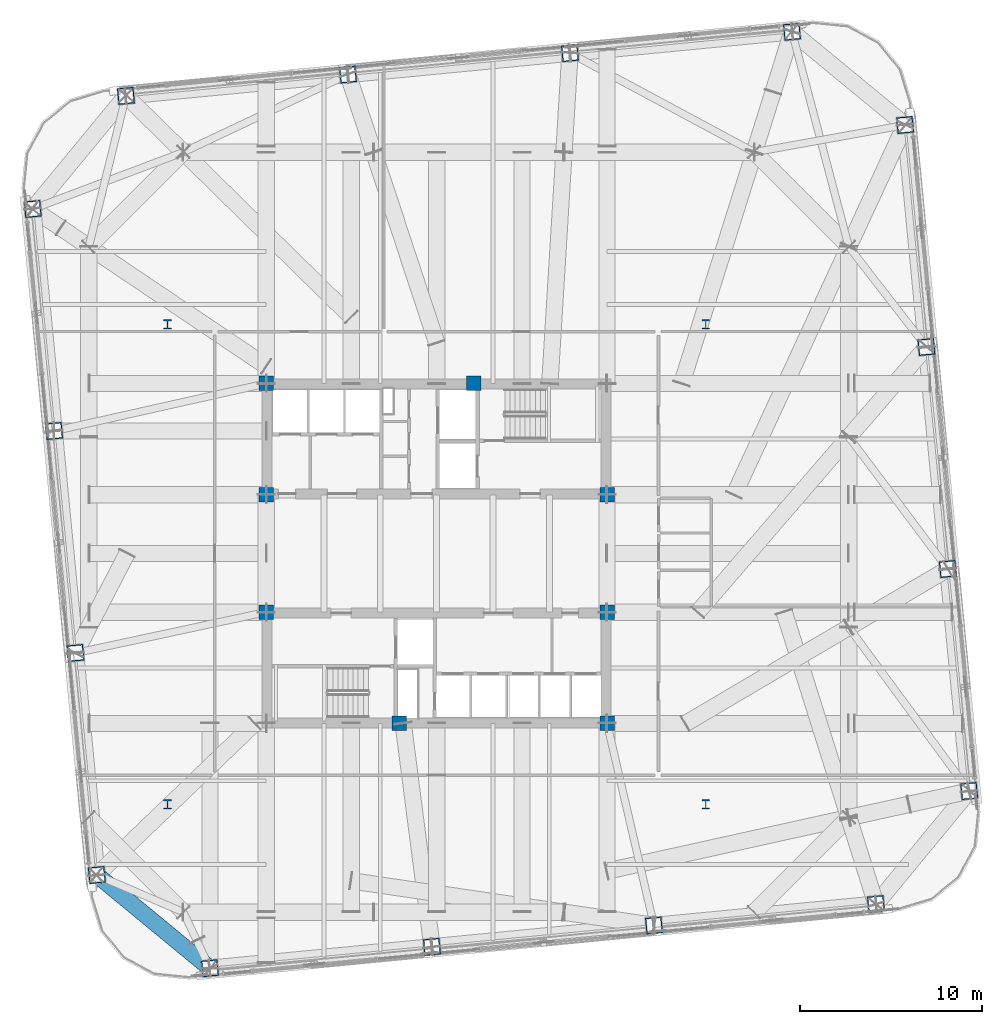
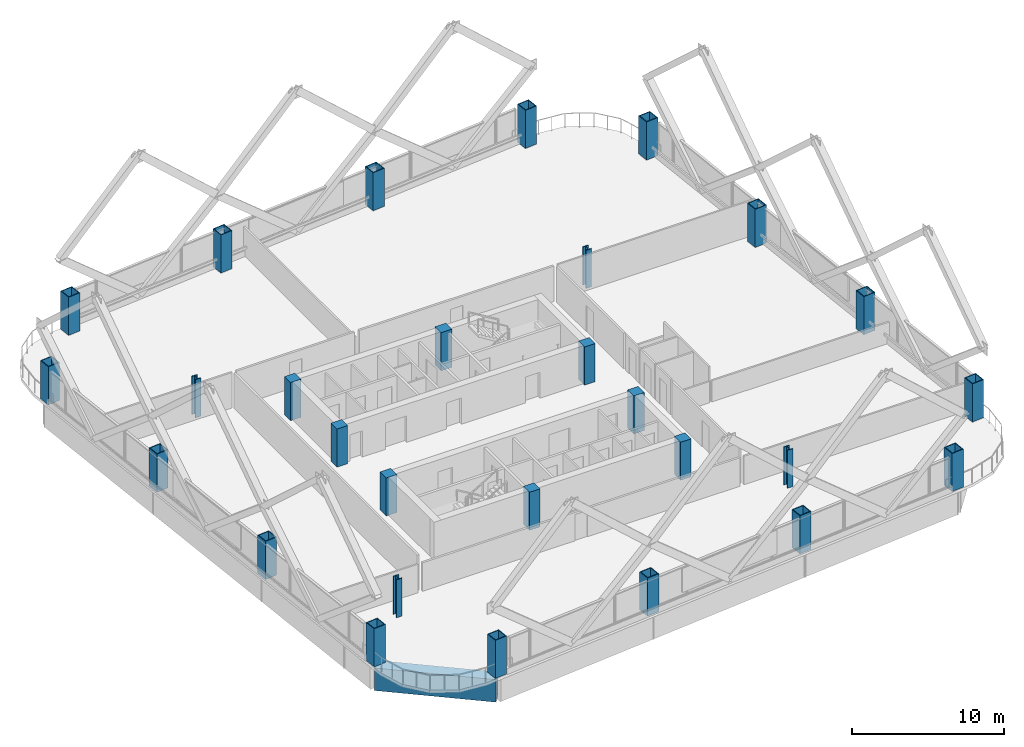
# One storey, part 1 of 42: 28 columns, 1 beam.
"""IFC4 building model written with IfcOpenShell, lengths in metres."""

from ifc_helpers import new_model, si_unit, direction, frame, origin, origin_2d, place, context, subcontext, project, spatial, rectangle, hollow_rectangle, i_section, extrude, material, material_profile, profile_set, type_object, element, save


model = new_model("IFC4")

# Units and contexts
model_context = context("Model", 3, precision=1e-05, world=origin(), true_north=direction((0.0, 1.0)))
body_context = subcontext(model_context, "Body", "Model", "MODEL_VIEW")
ifc_project = project(units=[si_unit("LENGTHUNIT", "METRE"), si_unit("AREAUNIT", "SQUARE_METRE"), si_unit("VOLUMEUNIT", "CUBIC_METRE"), si_unit("PLANEANGLEUNIT", "RADIAN"), si_unit("MASSUNIT", "GRAM", prefix="KILO")], contexts=[model_context])

# Site, building, storey
site_placement = place(None, origin())
site = spatial("IfcSite", under=ifc_project, at=site_placement, CompositionType="ELEMENT")
building_placement = place(site_placement, origin())
building = spatial("IfcBuilding", under=site, at=building_placement, Name="Qhalaya Broadcast Tower", CompositionType="ELEMENT")
storey_placement = place(building_placement, frame((0.0, 0.0, 69.449951171875)))
storey = spatial("IfcBuildingStorey", under=building, at=storey_placement, Name="L19", CompositionType="ELEMENT", Elevation=69.449951171875)

# Columns
ifc_material_1 = material(Name="Concrete C50/60", Category="concrete")
ifc_material_profile_1 = material_profile(ifc_material_1, rectangle(XDim=0.800048828125, YDim=0.800048828125, at=origin_2d()), Name="RC-COL 800x800")
ifc_profile_set_1 = profile_set([ifc_material_profile_1], Name="Concrete C50/60")
column_type_1 = type_object("IfcColumnType", Name="RC Upper Column C10", PredefinedType="COLUMN", material=ifc_profile_set_1)
for number, where, z_axis, x_axis, name in (
    (1, (-9.375, 9.949951171875, 0.0), (0.0, 0.0, 1.0), (1.0, 0.0, 0.0), "L19 Column COL-CC1"),
    (2, (2.050048828125, 9.949951171875, 0.0), (0.0, 0.0, 1.0), (1.0, 0.0, 0.0), "L19 Column COL-CC2"),
    (3, (-9.375, 3.824951171875, 0.0), (0.0, 0.0, 1.0), (1.0, 0.0, 0.0), "L19 Column COL-CC3"),
    (4, (9.375, 3.824951171875, 0.0), (0.0, 0.0, 1.0), (1.0, 0.0, 0.0), "L19 Column COL-CC4"),
    (5, (-9.375, -2.625, 0.0), (0.0, 0.0, 1.0), (1.0, 0.0, 0.0), "L19 Column COL-CC5"),
    (6, (9.375, -2.625, 0.0), (0.0, 0.0, 1.0), (1.0, 0.0, 0.0), "L19 Column COL-CC6"),
    (7, (-2.050048828125, -8.75, 0.0), (0.0, 0.0, 1.0), (1.0, 0.0, 0.0), "L19 Column COL-CC7"),
    (8, (9.375, -8.75, 0.0), (0.0, 0.0, 1.0), (1.0, 0.0, 0.0), "L19 Column COL-CC8"),
):
    element("IfcColumn", number, at=place(storey_placement, frame(where, z_axis=z_axis, x_axis=x_axis)), inside=storey, type_object=column_type_1, Name=name, PredefinedType="COLUMN", context=body_context, shape_type="SweptSolid", body=[
        extrude(rectangle(XDim=0.800048828125, YDim=0.800048828125, at=origin_2d()), origin(), (0.0, 0.0, 1.0), 3.050048828125),
    ])
ifc_material_2 = material(Name="Structural Steel ASTM A992 Grade 50", Category="steel")
ifc_material_profile_2 = material_profile(ifc_material_2, i_section(OverallWidth=0.41796875, OverallDepth=0.510009765625, WebThickness=0.0419921875, FlangeThickness=0.067626953125, at=origin_2d()), Name="W14X370")
ifc_profile_set_2 = profile_set([ifc_material_profile_2], Name="Structural Steel ASTM A992 Grade 50")
column_type_2 = type_object("IfcColumnType", Name="Rolled Gravity Column C06", PredefinedType="COLUMN", material=ifc_profile_set_2)
for number, where, z_axis, x_axis, name in (
    (9, (-14.800048828125, -13.199951171875, 0.0), (0.0, 0.0, 1.0), (1.0, 0.0, 0.0), "L19 Column COL-GR1"),
    (10, (14.800048828125, -13.199951171875, 0.0), (0.0, 0.0, 1.0), (1.0, 0.0, 0.0), "L19 Column COL-GR2"),
    (11, (-14.800048828125, 13.199951171875, 0.0), (0.0, 0.0, 1.0), (1.0, 0.0, 0.0), "L19 Column COL-GR3"),
    (12, (14.800048828125, 13.199951171875, 0.0), (0.0, 0.0, 1.0), (1.0, 0.0, 0.0), "L19 Column COL-GR4"),
):
    element("IfcColumn", number, at=place(storey_placement, frame(where, z_axis=z_axis, x_axis=x_axis)), inside=storey, type_object=column_type_2, Name=name, PredefinedType="COLUMN", context=body_context, shape_type="SweptSolid", body=[
        extrude(i_section(OverallWidth=0.41796875, OverallDepth=0.510009765625, WebThickness=0.0419921875, FlangeThickness=0.067626953125, at=origin_2d()), origin(), (0.0, 0.0, 1.0), 3.050048828125),
    ])
ifc_material_3 = material(Name="Structural Steel ASTM A572 Grade 50", Category="steel")
ifc_material_profile_3 = material_profile(ifc_material_3, hollow_rectangle(XDim=0.89990234375, YDim=0.89990234375, WallThickness=0.054931640625, at=origin_2d()), Name="BOX 900x900x55")
ifc_profile_set_3 = profile_set([ifc_material_profile_3], Name="Structural Steel ASTM A572 Grade 50")
column_type_3 = type_object("IfcColumnType", Name="Steel Box Column C02", PredefinedType="COLUMN", material=ifc_profile_set_3)
for number, where, z_axis, x_axis, name in (
    (13, (-12.46533203125, -22.212646484375, 0.0), (0.0, 0.0, 1.0), (0.995396198367, 0.09584575252, 0.0), "L19 Column COL-EX01"),
    (14, (-0.255126953125, -21.036865234375, 0.0), (0.0, 0.0, 1.0), (0.995396198367, 0.09584575252, 0.0), "L19 Column COL-EX02"),
    (15, (11.955078125, -19.861083984375, 0.0), (0.0, 0.0, 1.0), (0.995396198367, 0.09584575252, 0.0), "L19 Column COL-EX03"),
    (16, (24.165283203125, -18.685546875, 0.0), (0.0, 0.0, 1.0), (0.995396198367, 0.09584575252, 0.0), "L19 Column COL-EX04"),
    (17, (29.29248046875, -12.46533203125, 0.0), (0.0, 0.0, 1.0), (-0.09584575252, 0.995396198367, 0.0), "L19 Column COL-EX05"),
    (18, (28.116943359375, -0.255126953125, 0.0), (0.0, 0.0, 1.0), (-0.09584575252, 0.995396198367, 0.0), "L19 Column COL-EX06"),
    (19, (26.941162109375, 11.955078125, 0.0), (0.0, 0.0, 1.0), (-0.09584575252, 0.995396198367, 0.0), "L19 Column COL-EX07"),
    (20, (25.765380859375, 24.165283203125, 0.0), (0.0, 0.0, 1.0), (-0.09584575252, 0.995396198367, 0.0), "L19 Column COL-EX08"),
    (21, (19.54541015625, 29.29248046875, 0.0), (0.0, 0.0, 1.0), (0.995396198367, 0.09584575252, 0.0), "L19 Column COL-EX09"),
    (22, (7.335205078125, 28.116943359375, 0.0), (0.0, 0.0, 1.0), (0.995396198367, 0.09584575252, 0.0), "L19 Column COL-EX10"),
    (23, (-4.875, 26.941162109375, 0.0), (0.0, 0.0, 1.0), (0.995396198367, 0.09584575252, 0.0), "L19 Column COL-EX11"),
    (24, (-17.085205078125, 25.765380859375, 0.0), (0.0, 0.0, 1.0), (0.995396198367, 0.09584575252, 0.0), "L19 Column COL-EX12"),
    (25, (-22.212646484375, 19.54541015625, 0.0), (0.0, 0.0, 1.0), (-0.09584575252, 0.995396198367, 0.0), "L19 Column COL-EX13"),
    (26, (-21.036865234375, 7.335205078125, 0.0), (0.0, 0.0, 1.0), (-0.09584575252, 0.995396198367, 0.0), "L19 Column COL-EX14"),
    (27, (-19.861083984375, -4.875, 0.0), (0.0, 0.0, 1.0), (-0.09584575252, 0.995396198367, 0.0), "L19 Column COL-EX15"),
    (28, (-18.685546875, -17.085205078125, 0.0), (0.0, 0.0, 1.0), (-0.09584575252, 0.995396198367, 0.0), "L19 Column COL-EX16"),
):
    element("IfcColumn", number, at=place(storey_placement, frame(where, z_axis=z_axis, x_axis=x_axis)), inside=storey, type_object=column_type_3, Name=name, PredefinedType="COLUMN", context=body_context, shape_type="SweptSolid", body=[
        extrude(hollow_rectangle(XDim=0.89990234375, YDim=0.89990234375, WallThickness=0.054931640625, at=origin_2d()), origin(), (0.0, 0.0, 1.0), 3.050048828125),
    ])

# Beam
ifc_material_profile_4 = material_profile(ifc_material_3, hollow_rectangle(XDim=0.89990234375, YDim=1.800048828125, WallThickness=0.06005859375, at=origin_2d()), Name="BOX 900x1800x60")
ifc_profile_set_4 = profile_set([ifc_material_profile_4], Name="Structural Steel ASTM A572 Grade 50")
beam_type = type_object("IfcBeamType", Name="Block Cantilever Transfer Box Girder TG1", PredefinedType="USERDEFINED", material=ifc_profile_set_4)
beam_placement = place(storey_placement, frame((-18.685546875, -17.085205078125, -1.119873046875), z_axis=(0.771631160126, -0.636070241972, 0.0), x_axis=(0.636070241972, 0.771631160126, 0.0)))
element("IfcBeam", 29, at=beam_placement, inside=storey, type_object=beam_type, Name="L19 TG1 L19-SPR-16", ObjectType="GIRDER", PredefinedType="USERDEFINED", context=body_context, shape_type="SweptSolid", body=[
    extrude(hollow_rectangle(XDim=0.89990234375, YDim=1.800048828125, WallThickness=0.06005859375, at=origin_2d()), origin(), (0.0, 0.0, 1.0), 8.06103515625),
])

save(model, "model.ifc")
